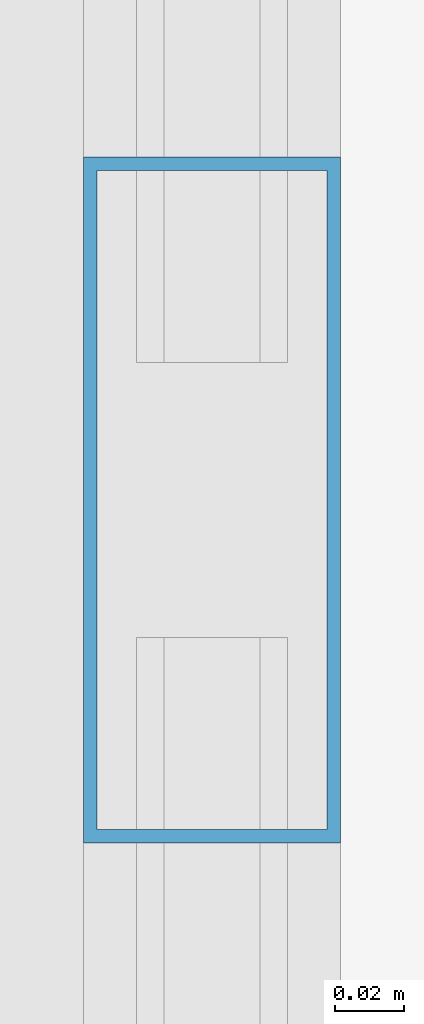
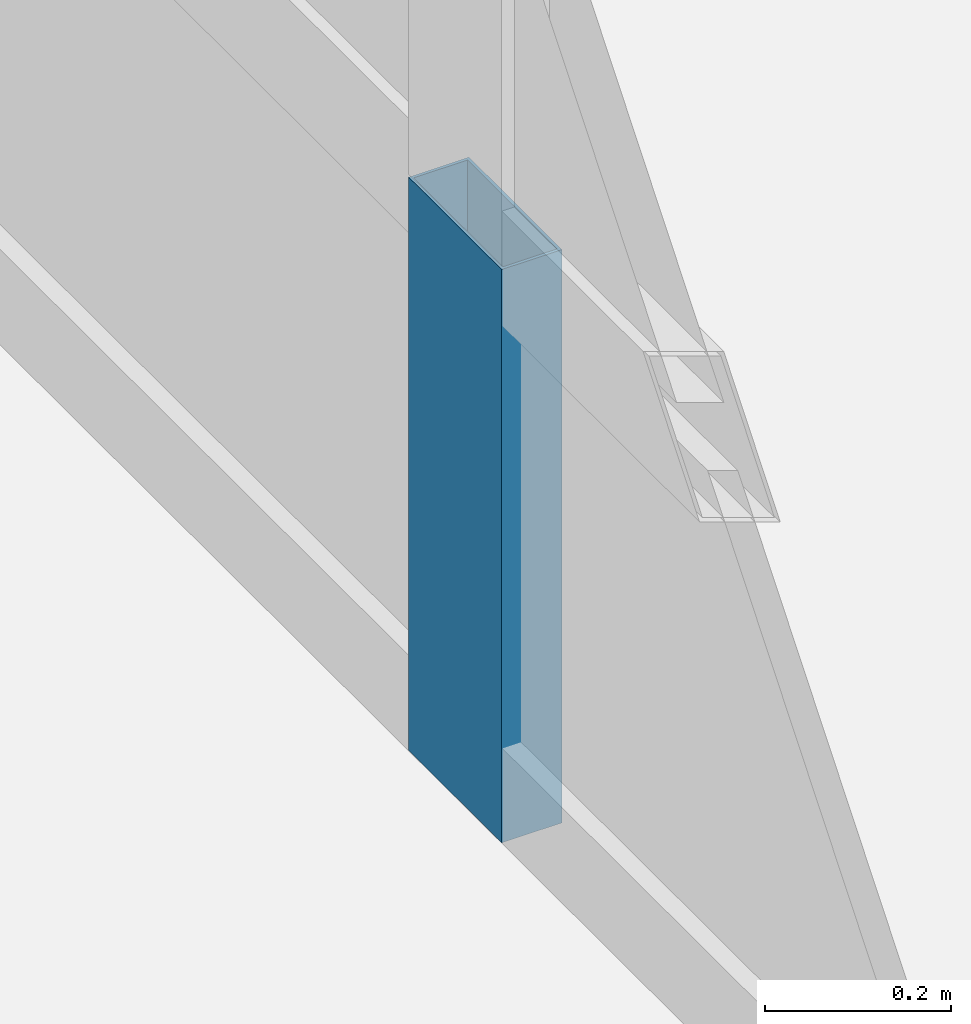
# One storey, part 22 of 35: 1 member, 1 element without a shape of its own.
"""IFC4 building model written with IfcOpenShell, lengths in metres."""

from ifc_helpers import new_model, si_unit, direction, frame, origin, origin_2d, place, context, subcontext, project, spatial, hollow_rectangle, extrude, source, transform, mapped, material, layer, layer_set, material_profile, profile_set, type_object, element, aggregate, save


model = new_model("IFC4")

# Units and contexts
model_context = context("Model", 3, precision=1e-05, world=origin(), true_north=direction((0.0, 1.0)))
body_context = subcontext(model_context, "Body", "Model", "MODEL_VIEW")
ifc_project = project(units=[si_unit("LENGTHUNIT", "METRE"), si_unit("AREAUNIT", "SQUARE_METRE"), si_unit("VOLUMEUNIT", "CUBIC_METRE"), si_unit("PLANEANGLEUNIT", "RADIAN"), si_unit("MASSUNIT", "GRAM", prefix="KILO"), si_unit("THERMODYNAMICTEMPERATUREUNIT", "KELVIN"), si_unit("POWERUNIT", "WATT")], contexts=[model_context])

# Site, building, storey
site_placement = place(None, origin())
site = spatial("IfcSite", under=ifc_project, at=site_placement, CompositionType="ELEMENT")
building_placement = place(site_placement, origin())
building = spatial("IfcBuilding", under=site, at=building_placement, Name="Yuzanri Waterfront Tower", CompositionType="ELEMENT")
storey_placement = place(building_placement, frame((0.0, 0.0, 285.60009765625)))
storey = spatial("IfcBuildingStorey", under=building, at=storey_placement, Name="L76", CompositionType="ELEMENT", Elevation=285.60009765625)

# Curtain wall, member
ifc_material_1 = material(Name="Anodized Architectural Bronze", Category="metal")
ifc_layer = layer(ifc_material_1, 0.159912109375)
ifc_layer_set = layer_set([ifc_layer], Name="Anodized Architectural Bronze")
curtain_wall_type = type_object("IfcCurtainWallType", Name="Anodized Bronze High-Rise Penthouse High-Wind Unitized Curtain Wall 6900", PredefinedType="NOTDEFINED", material=ifc_layer_set)
curtain_wall_placement = place(storey_placement, origin())
curtain_wall = element("IfcCurtainWall", 1, at=curtain_wall_placement, inside=storey, type_object=curtain_wall_type, Name="L76 Curtain Wall CW-L76-WL", PredefinedType="NOTDEFINED")
ifc_material_2 = material(Name="Anodized Architectural Bronze", Category="metal")
ifc_material_profile = material_profile(ifc_material_2, hollow_rectangle(XDim=0.074951171875, YDim=0.199951171875, WallThickness=0.00390625, at=origin_2d()), Name="CWM 75x200")
ifc_profile_set = profile_set([ifc_material_profile], Name="Anodized Architectural Bronze")
member_type = type_object("IfcMemberType", Name="Anodized Bronze Primary Curtain-Wall Mullion 75x200", PredefinedType="MULLION", material=ifc_profile_set)
shared_shape = source(origin(), body_context, "Body", "SweptSolid", [
    extrude(hollow_rectangle(XDim=0.074951171875, YDim=0.199951171875, WallThickness=0.00390625, at=origin_2d()), origin(), (0.0, 0.0, 1.0), 0.751953125),
])
member_placement = place(storey_placement, frame((18.050048828125, 19.75, 0.0), z_axis=(0.0, 0.0, 1.0), x_axis=(1.0, 0.0, 0.0)))
member = element("IfcMember", 2, at=member_placement, type_object=member_type, Name="CW-L76-WL Lower Mullion 01", PredefinedType="MULLION", context=body_context, shape_type="MappedRepresentation", body=[
    mapped(shared_shape, transform((0.0, 0.0, 0.0), scale=1.0)),
])
aggregate(curtain_wall, [member])

save(model, "model.ifc")
